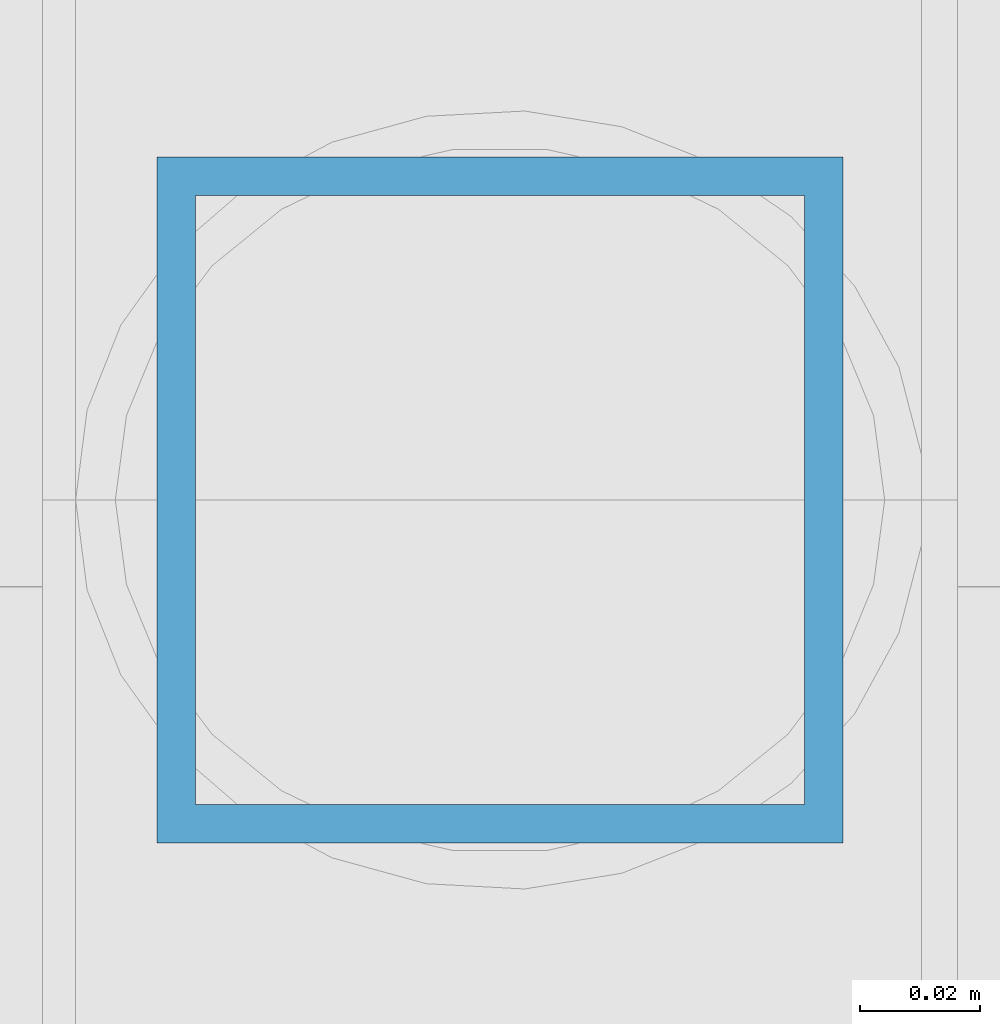
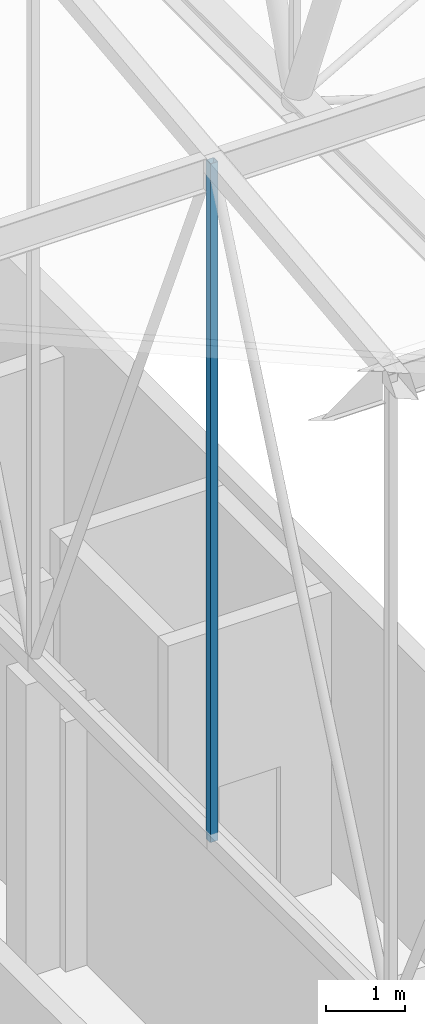
# One storey, part 44 of 500: 1 member.
"""IFC4 building model written with IfcOpenShell, lengths in metres."""

from ifc_helpers import new_model, si_unit, direction, frame, origin, origin_2d, place, context, subcontext, project, spatial, hollow_rectangle, extrude, material, material_profile, profile_set, type_object, element, save


model = new_model("IFC4")

# Units and contexts
model_context = context("Model", 3, precision=1e-05, world=origin(), true_north=direction((0.0, 1.0)))
body_context = subcontext(model_context, "Body", "Model", "MODEL_VIEW")
ifc_project = project(units=[si_unit("LENGTHUNIT", "METRE"), si_unit("AREAUNIT", "SQUARE_METRE"), si_unit("VOLUMEUNIT", "CUBIC_METRE"), si_unit("PLANEANGLEUNIT", "RADIAN"), si_unit("MASSUNIT", "GRAM", prefix="KILO")], contexts=[model_context])

# Site, building, storey
site_placement = place(None, origin())
site = spatial("IfcSite", under=ifc_project, at=site_placement, CompositionType="ELEMENT")
building_placement = place(site_placement, origin())
building = spatial("IfcBuilding", under=site, at=building_placement, Name="Shirokan Park Arena", CompositionType="ELEMENT")
storey_placement = place(building_placement, frame((0.0, 0.0, 29.1201171875)))
storey = spatial("IfcBuildingStorey", under=building, at=storey_placement, Name="L06", CompositionType="ELEMENT", Elevation=29.1201171875)

# Member
ifc_material = material(Name="Steel ASTM A500 Grade C", Category="steel")
ifc_material_profile = material_profile(ifc_material, hollow_rectangle(XDim=0.114013671875, YDim=0.114013671875, WallThickness=0.00634765625, at=origin_2d()), Name="HSS114.3X114.3X6.4")
ifc_profile_set = profile_set([ifc_material_profile], Name="Steel ASTM A500 Grade C")
member_type = type_object("IfcMemberType", Name="Truss post HSS114.3X114.3X6.4", PredefinedType="POST", material=ifc_profile_set)
member_placement = place(storey_placement, frame((36.39990234375, 22.75, 4.677001953125), z_axis=(0.0, 0.0, 1.0), x_axis=(1.0, 0.0, 0.0)))
element("IfcMember", 1, at=member_placement, inside=storey, type_object=member_type, Name="Truss T05 post 8", PredefinedType="POST", context=body_context, shape_type="SweptSolid", body=[
    extrude(hollow_rectangle(XDim=0.114013671875, YDim=0.114013671875, WallThickness=0.00634765625, at=origin_2d()), origin(), (0.0, 0.0, 1.0), 10.5458984375),
])

save(model, "model.ifc")
